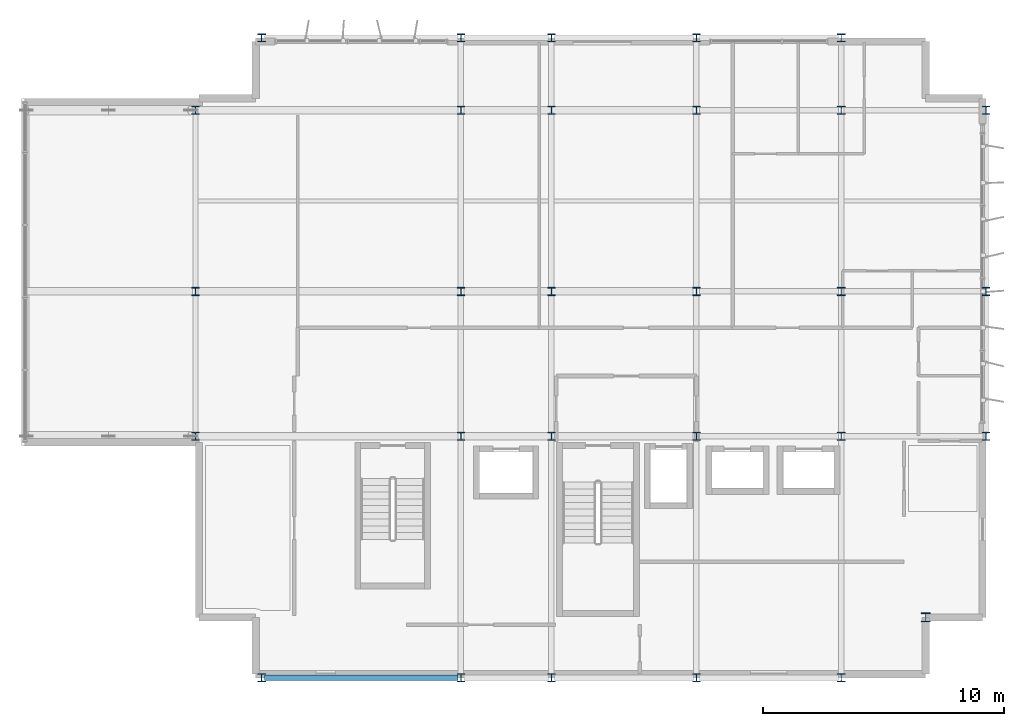
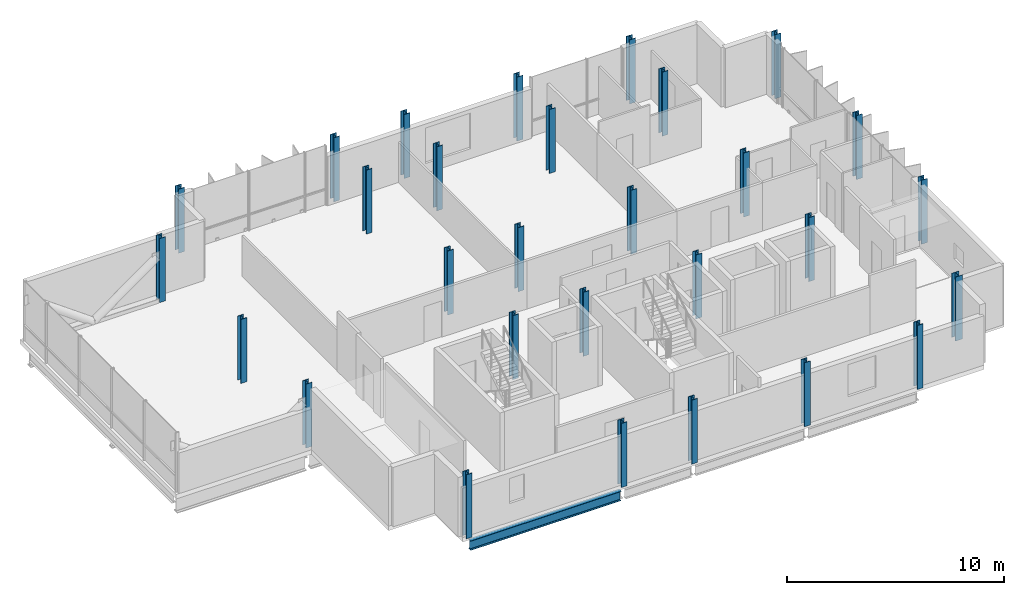
# One storey, part 1 of 18: 29 columns, 1 beam.
"""IFC4 building model written with IfcOpenShell, lengths in metres."""

from ifc_helpers import new_model, si_unit, direction, frame, origin, origin_2d, place, context, subcontext, project, spatial, i_section, extrude, material, material_profile, profile_set, type_object, element, save


model = new_model("IFC4")

# Units and contexts
model_context = context("Model", 3, precision=1e-05, world=origin(), true_north=direction((0.0, 1.0)))
body_context = subcontext(model_context, "Body", "Model", "MODEL_VIEW")
ifc_project = project(units=[si_unit("LENGTHUNIT", "METRE"), si_unit("AREAUNIT", "SQUARE_METRE"), si_unit("VOLUMEUNIT", "CUBIC_METRE"), si_unit("PLANEANGLEUNIT", "RADIAN"), si_unit("MASSUNIT", "GRAM", prefix="KILO")], contexts=[model_context])

# Site, building, storey
site_placement = place(None, origin())
site = spatial("IfcSite", under=ifc_project, at=site_placement, CompositionType="ELEMENT")
building_placement = place(site_placement, origin())
building = spatial("IfcBuilding", under=site, at=building_placement, Name="Brevholm Reach", CompositionType="ELEMENT")
storey_placement = place(building_placement, frame((0.0, 0.0, 243.64990234375)))
storey = spatial("IfcBuildingStorey", under=building, at=storey_placement, Name="L74", CompositionType="ELEMENT", Elevation=243.64990234375)

# Columns
ifc_material_1 = material(Name="Structural Steel S355J2", Category="steel")
ifc_material_profile_1 = material_profile(ifc_material_1, i_section(OverallWidth=0.374755859375, OverallDepth=0.37451171875, WebThickness=0.0166015625, FlangeThickness=0.027099609375, FilletRadius=0.01513671875, at=origin_2d()), Name="UKC 356x368x202")
ifc_profile_set_1 = profile_set([ifc_material_profile_1], Name="Structural Steel S355J2")
column_type_1 = type_object("IfcColumnType", Name="COL-UC6", PredefinedType="COLUMN", material=ifc_profile_set_1)
column_placement = place(storey_placement, frame((57.5, 2.5, 0.0), z_axis=(0.0, 0.0, 1.0), x_axis=(1.0, 0.0, 0.0)))
element("IfcColumn", 1, at=column_placement, inside=storey, type_object=column_type_1, Name="L74 Column 26", PredefinedType="COLUMN", context=body_context, shape_type="SweptSolid", body=[
    extrude(i_section(OverallWidth=0.374755859375, OverallDepth=0.37451171875, WebThickness=0.0166015625, FlangeThickness=0.027099609375, FilletRadius=0.01513671875, at=origin_2d()), origin(), (0.0, 0.0, 1.0), 3.60009765625),
])
ifc_material_2 = material(Name="Structural Steel S355J2", Category="steel")
ifc_material_profile_2 = material_profile(ifc_material_2, i_section(OverallWidth=0.314453125, OverallDepth=0.33984375, WebThickness=0.01904296875, FlangeThickness=0.031494140625, FilletRadius=0.01513671875, at=origin_2d()), Name="UKC 305x305x198")
ifc_profile_set_2 = profile_set([ifc_material_profile_2], Name="Structural Steel S355J2")
column_type_2 = type_object("IfcColumnType", Name="COL-UC7", PredefinedType="COLUMN", material=ifc_profile_set_2)
for number, where, z_axis, x_axis, name in (
    (2, (27.25, 10.0, 0.0), (0.0, 0.0, 1.0), (1.0, 0.0, 0.0), "L74 Column 01"),
    (3, (27.25, 16.0, 0.0), (0.0, 0.0, 1.0), (1.0, 0.0, 0.0), "L74 Column 02"),
    (4, (27.25, 23.5, 0.0), (0.0, 0.0, 1.0), (1.0, 0.0, 0.0), "L74 Column 03"),
    (5, (30.0, 0.0, 0.0), (0.0, 0.0, 1.0), (1.0, 0.0, 0.0), "L74 Column 04"),
    (6, (30.0, 26.5, 0.0), (0.0, 0.0, 1.0), (1.0, 0.0, 0.0), "L74 Column 05"),
    (7, (38.25, 0.0, 0.0), (0.0, 0.0, 1.0), (1.0, 0.0, 0.0), "L74 Column 06"),
    (8, (38.25, 10.0, 0.0), (0.0, 0.0, 1.0), (1.0, 0.0, 0.0), "L74 Column 07"),
    (9, (38.25, 16.0, 0.0), (0.0, 0.0, 1.0), (1.0, 0.0, 0.0), "L74 Column 08"),
    (10, (38.25, 23.5, 0.0), (0.0, 0.0, 1.0), (1.0, 0.0, 0.0), "L74 Column 09"),
    (11, (38.25, 26.5, 0.0), (0.0, 0.0, 1.0), (1.0, 0.0, 0.0), "L74 Column 10"),
    (12, (42.0, 0.0, 0.0), (0.0, 0.0, 1.0), (1.0, 0.0, 0.0), "L74 Column 11"),
    (13, (42.0, 10.0, 0.0), (0.0, 0.0, 1.0), (1.0, 0.0, 0.0), "L74 Column 12"),
    (14, (42.0, 16.0, 0.0), (0.0, 0.0, 1.0), (1.0, 0.0, 0.0), "L74 Column 13"),
    (15, (42.0, 23.5, 0.0), (0.0, 0.0, 1.0), (1.0, 0.0, 0.0), "L74 Column 14"),
    (16, (42.0, 26.5, 0.0), (0.0, 0.0, 1.0), (1.0, 0.0, 0.0), "L74 Column 15"),
    (17, (48.0, 0.0, 0.0), (0.0, 0.0, 1.0), (1.0, 0.0, 0.0), "L74 Column 16"),
    (18, (48.0, 10.0, 0.0), (0.0, 0.0, 1.0), (1.0, 0.0, 0.0), "L74 Column 17"),
    (19, (48.0, 16.0, 0.0), (0.0, 0.0, 1.0), (1.0, 0.0, 0.0), "L74 Column 18"),
    (20, (48.0, 23.5, 0.0), (0.0, 0.0, 1.0), (1.0, 0.0, 0.0), "L74 Column 19"),
    (21, (48.0, 26.5, 0.0), (0.0, 0.0, 1.0), (1.0, 0.0, 0.0), "L74 Column 20"),
    (22, (54.0, 0.0, 0.0), (0.0, 0.0, 1.0), (1.0, 0.0, 0.0), "L74 Column 21"),
    (23, (54.0, 10.0, 0.0), (0.0, 0.0, 1.0), (1.0, 0.0, 0.0), "L74 Column 22"),
    (24, (54.0, 16.0, 0.0), (0.0, 0.0, 1.0), (1.0, 0.0, 0.0), "L74 Column 23"),
    (25, (54.0, 23.5, 0.0), (0.0, 0.0, 1.0), (1.0, 0.0, 0.0), "L74 Column 24"),
    (26, (54.0, 26.5, 0.0), (0.0, 0.0, 1.0), (1.0, 0.0, 0.0), "L74 Column 25"),
    (27, (60.0, 10.0, 0.0), (0.0, 0.0, 1.0), (1.0, 0.0, 0.0), "L74 Column 27"),
    (28, (60.0, 16.0, 0.0), (0.0, 0.0, 1.0), (1.0, 0.0, 0.0), "L74 Column 28"),
    (29, (60.0, 23.5, 0.0), (0.0, 0.0, 1.0), (1.0, 0.0, 0.0), "L74 Column 29"),
):
    element("IfcColumn", number, at=place(storey_placement, frame(where, z_axis=z_axis, x_axis=x_axis)), inside=storey, type_object=column_type_2, Name=name, PredefinedType="COLUMN", context=body_context, shape_type="SweptSolid", body=[
        extrude(i_section(OverallWidth=0.314453125, OverallDepth=0.33984375, WebThickness=0.01904296875, FlangeThickness=0.031494140625, FilletRadius=0.01513671875, at=origin_2d()), origin(), (0.0, 0.0, 1.0), 3.60009765625),
    ])

# Beam
ifc_material_3 = material(Name="Structural Steel S355J2", Category="steel")
ifc_material_profile_3 = material_profile(ifc_material_3, i_section(OverallWidth=0.210693359375, OverallDepth=0.53955078125, WebThickness=0.01171875, FlangeThickness=0.018798828125, FilletRadius=0.0126953125, at=origin_2d()), Name="UKB 533x210x109")
ifc_profile_set_3 = profile_set([ifc_material_profile_3], Name="Structural Steel S355J2")
beam_type = type_object("IfcBeamType", Name="BM-SP539", PredefinedType="SPANDREL", material=ifc_profile_set_3)
beam_placement = place(storey_placement, frame((30.1201171875, 0.0, -0.51953125), z_axis=(1.0, 0.0, 0.0), x_axis=(0.0, 1.0, 0.0)))
element("IfcBeam", 30, at=beam_placement, inside=storey, type_object=beam_type, Name="L74 SP-01B Framing Beam", PredefinedType="SPANDREL", context=body_context, shape_type="SweptSolid", body=[
    extrude(i_section(OverallWidth=0.210693359375, OverallDepth=0.53955078125, WebThickness=0.01171875, FlangeThickness=0.018798828125, FilletRadius=0.0126953125, at=origin_2d()), origin(), (0.0, 0.0, 1.0), 8.009765625),
])

save(model, "model.ifc")
